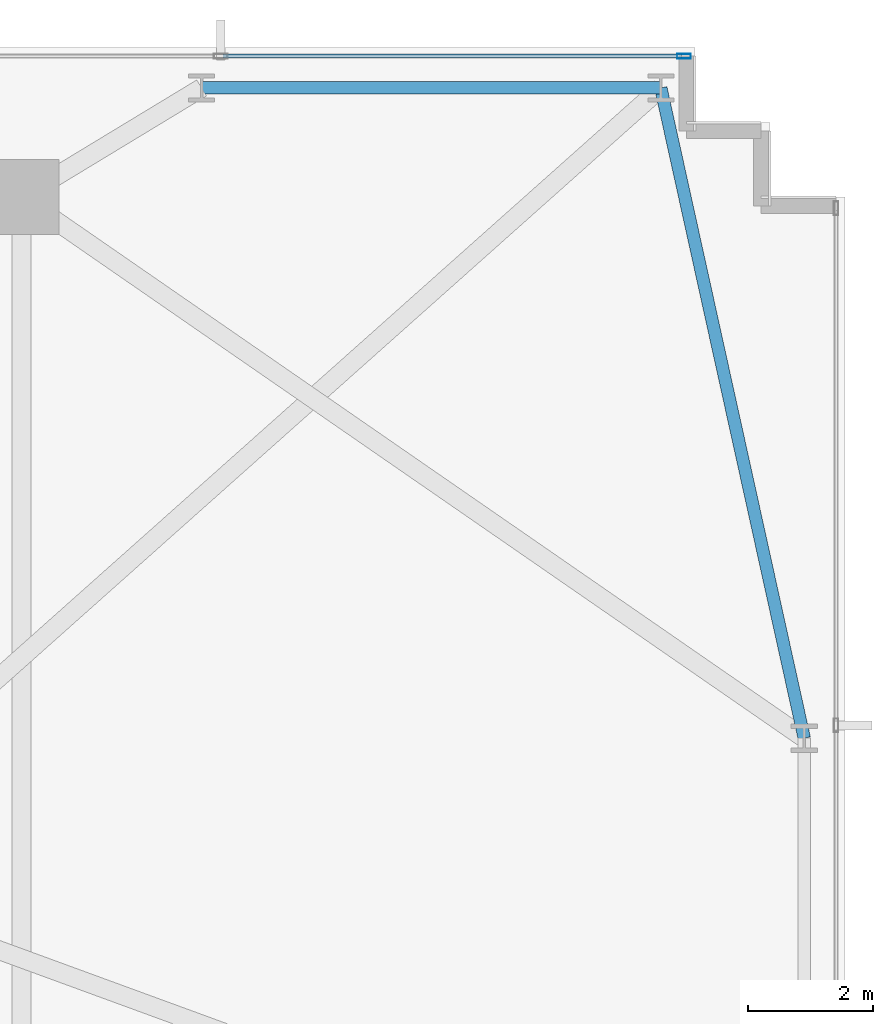
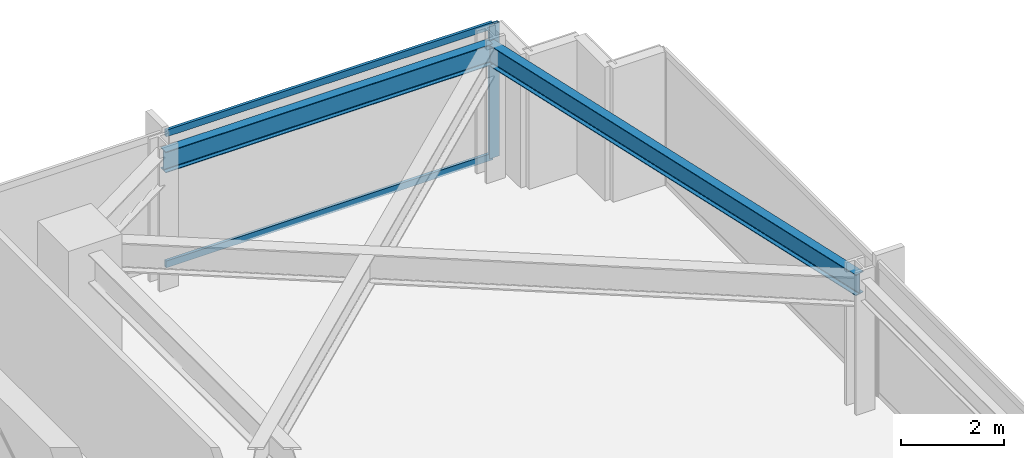
# One storey, part 21 of 32: 3 members, 2 beams, 1 element without a shape of its own.
"""IFC4 building model written with IfcOpenShell, lengths in metres."""

from ifc_helpers import new_model, si_unit, direction, frame, origin, origin_2d, place, context, subcontext, project, spatial, hollow_rectangle, i_section, extrude, material, material_profile, profile_set, type_object, element, aggregate, save


model = new_model("IFC4")

# Units and contexts
model_context = context("Model", 3, precision=1e-05, world=origin(), true_north=direction((0.0, 1.0)))
body_context = subcontext(model_context, "Body", "Model", "MODEL_VIEW")
ifc_project = project(units=[si_unit("LENGTHUNIT", "METRE"), si_unit("AREAUNIT", "SQUARE_METRE"), si_unit("VOLUMEUNIT", "CUBIC_METRE"), si_unit("PLANEANGLEUNIT", "RADIAN"), si_unit("MASSUNIT", "GRAM", prefix="KILO")], contexts=[model_context])

# Site, building, storey
site_placement = place(None, origin())
site = spatial("IfcSite", under=ifc_project, at=site_placement, CompositionType="ELEMENT")
building_placement = place(site_placement, origin())
building = spatial("IfcBuilding", under=site, at=building_placement, Name="Yelkora Congress Tower", CompositionType="ELEMENT")
storey_placement = place(building_placement, frame((0.0, 0.0, 33.800048828125)))
storey = spatial("IfcBuildingStorey", under=building, at=storey_placement, Name="L07", CompositionType="ELEMENT", Elevation=33.800048828125)

# Beams
ifc_material_1 = material(Name="Steel S355J2", Category="steel")
ifc_material_profile_1 = material_profile(ifc_material_1, i_section(OverallWidth=0.199951171875, OverallDepth=0.5, WebThickness=0.01025390625, FlangeThickness=0.01611328125, FilletRadius=0.02099609375, at=origin_2d()), Name="IPE 500")
ifc_profile_set_1 = profile_set([ifc_material_profile_1], Name="Steel S355J2")
beam_type = type_object("IfcBeamType", Name="BM-SPAN-IPE500", PredefinedType="SPANDREL", material=ifc_profile_set_1)
beam_1_placement = place(storey_placement, frame((70.14990234375, 37.52490234375, 2.929931640625), z_axis=(-0.215424087425, 0.97652058993, 0.0), x_axis=(-0.97652058993, -0.215424087425, 0.0)))
element("IfcBeam", 1, at=beam_1_placement, inside=storey, type_object=beam_type, Name="L07 Perimeter Beam 13", PredefinedType="SPANDREL", context=body_context, shape_type="SweptSolid", body=[
    extrude(i_section(OverallWidth=0.199951171875, OverallDepth=0.5, WebThickness=0.01025390625, FlangeThickness=0.01611328125, FilletRadius=0.02099609375, at=origin_2d()), origin(), (0.0, 0.0, 1.0), 10.67578125),
])
beam_2_placement = place(storey_placement, frame((67.85009765625, 47.949951171875, 2.929931640625), z_axis=(-1.0, 0.0, 0.0), x_axis=(0.0, -1.0, 0.0)))
element("IfcBeam", 2, at=beam_2_placement, inside=storey, type_object=beam_type, Name="L07 Perimeter Beam 14", PredefinedType="SPANDREL", context=body_context, shape_type="SweptSolid", body=[
    extrude(i_section(OverallWidth=0.199951171875, OverallDepth=0.5, WebThickness=0.01025390625, FlangeThickness=0.01611328125, FilletRadius=0.02099609375, at=origin_2d()), origin(), (0.0, 0.0, 1.0), 7.362548828125),
])

# Curtain wall, members
ifc_material_2 = material(Name="Anodised aluminium and insulated glass", Category="aluminium")
curtain_wall_type = type_object("IfcCurtainWallType", Name="CW-SYS-B1", PredefinedType="NOTDEFINED", material=ifc_material_2)
curtain_wall_placement = place(storey_placement, origin())
curtain_wall = element("IfcCurtainWall", 3, at=curtain_wall_placement, inside=storey, type_object=curtain_wall_type, Name="L07 Unitised Curtain Wall 10", PredefinedType="NOTDEFINED")
ifc_material_3 = material(Name="Anodised aluminium 6063-T6", Category="aluminium")
ifc_material_profile_2 = material_profile(ifc_material_3, hollow_rectangle(XDim=0.074951171875, YDim=0.219970703125, WallThickness=0.0048828125, at=origin_2d()), Name="ALU 75x220x5")
ifc_profile_set_2 = profile_set([ifc_material_profile_2], Name="Anodised aluminium 6063-T6")
member_type_1 = type_object("IfcMemberType", Name="MEM-ML-B1", PredefinedType="MULLION", material=ifc_profile_set_2)
member_1_placement = place(storey_placement, frame((68.222412109375, 48.4599609375, 0.0), z_axis=(0.0, 0.0, 1.0), x_axis=(0.0, 1.0, 0.0)))
member_1 = element("IfcMember", 4, at=member_1_placement, type_object=member_type_1, Name="CW-B1 mullion 9", PredefinedType="MULLION", context=body_context, shape_type="SweptSolid", body=[
    extrude(hollow_rectangle(XDim=0.074951171875, YDim=0.219970703125, WallThickness=0.0048828125, at=origin_2d()), origin(), (0.0, 0.0, 1.0), 3.179931640625),
])
ifc_material_profile_3 = material_profile(ifc_material_3, hollow_rectangle(XDim=0.06494140625, YDim=0.159912109375, WallThickness=0.00390625, at=origin_2d()), Name="ALU 65x160x4")
ifc_profile_set_3 = profile_set([ifc_material_profile_3], Name="Anodised aluminium 6063-T6")
member_type_2 = type_object("IfcMemberType", Name="MEM-TR-B1", PredefinedType="USERDEFINED", material=ifc_profile_set_3)
member_2_placement = place(storey_placement, frame((60.83251953125, 48.4599609375, 0.032470703125), z_axis=(1.0, 0.0, 0.0), x_axis=(0.0, 1.0, 0.0)))
member_2 = element("IfcMember", 5, at=member_2_placement, type_object=member_type_2, Name="CW-B1 transom 8.1", ObjectType="TRANSOM", PredefinedType="USERDEFINED", context=body_context, shape_type="SweptSolid", body=[
    extrude(hollow_rectangle(XDim=0.06494140625, YDim=0.159912109375, WallThickness=0.00390625, at=origin_2d()), origin(), (0.0, 0.0, 1.0), 7.3525390625),
])
member_3_placement = place(storey_placement, frame((60.83251953125, 48.4599609375, 3.1474609375), z_axis=(1.0, 0.0, 0.0), x_axis=(0.0, 1.0, 0.0)))
member_3 = element("IfcMember", 6, at=member_3_placement, type_object=member_type_2, Name="CW-B1 transom 8.2", ObjectType="TRANSOM", PredefinedType="USERDEFINED", context=body_context, shape_type="SweptSolid", body=[
    extrude(hollow_rectangle(XDim=0.06494140625, YDim=0.159912109375, WallThickness=0.00390625, at=origin_2d()), origin(), (0.0, 0.0, 1.0), 7.3525390625),
])
aggregate(curtain_wall, [member_1, member_2, member_3])

save(model, "model.ifc")
